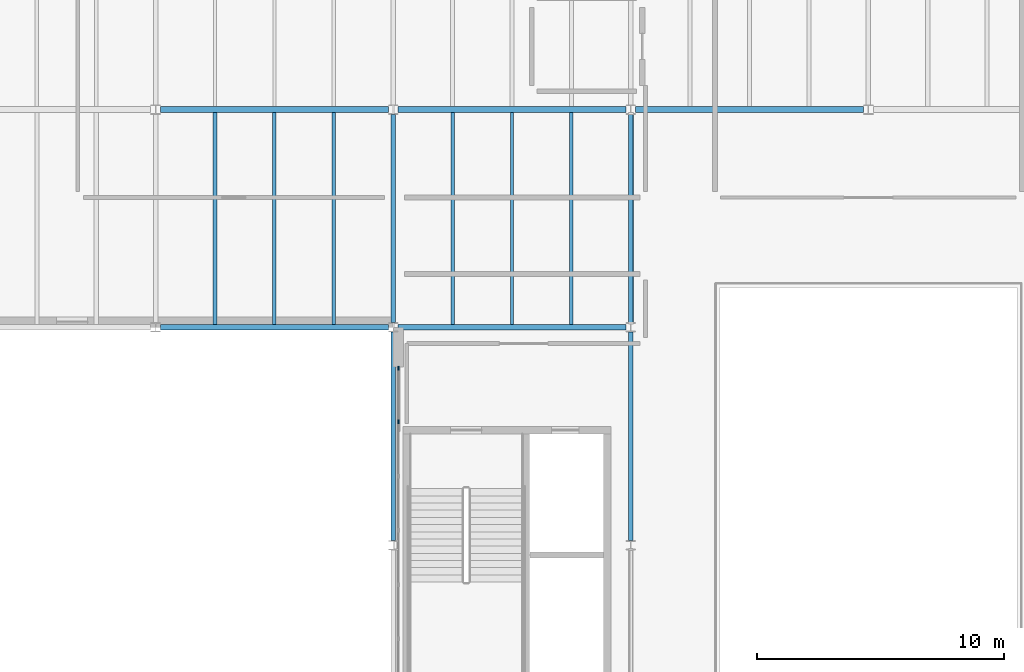
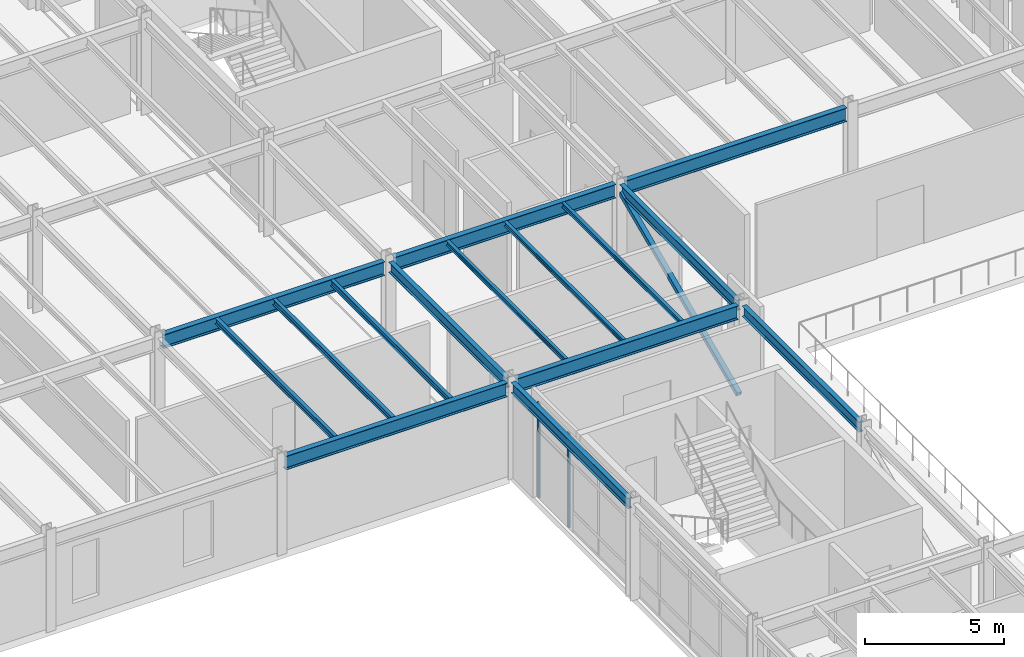
# One storey, part 40 of 88: 15 beams, 3 members, 1 element without a shape of its own.
"""IFC4 building model written with IfcOpenShell, lengths in metres."""

from ifc_helpers import new_model, si_unit, direction, frame, origin, origin_2d, place, context, subcontext, project, spatial, rectangle, hollow_rectangle, i_section, extrude, material, material_profile, profile_set, type_object, element, aggregate, save


model = new_model("IFC4")

# Units and contexts
model_context = context("Model", 3, precision=1e-05, world=origin(), true_north=direction((0.0, 1.0)))
body_context = subcontext(model_context, "Body", "Model", "MODEL_VIEW")
ifc_project = project(units=[si_unit("LENGTHUNIT", "METRE"), si_unit("AREAUNIT", "SQUARE_METRE"), si_unit("VOLUMEUNIT", "CUBIC_METRE"), si_unit("PLANEANGLEUNIT", "RADIAN"), si_unit("MASSUNIT", "GRAM", prefix="KILO")], contexts=[model_context])

# Site, building, storey
site_placement = place(None, origin())
site = spatial("IfcSite", under=ifc_project, at=site_placement, CompositionType="ELEMENT")
building_placement = place(site_placement, origin())
building = spatial("IfcBuilding", under=site, at=building_placement, Name="Sarnbrook Museum", CompositionType="ELEMENT")
storey_placement = place(building_placement, frame((0.0, 0.0, 10.10009765625)))
storey = spatial("IfcBuildingStorey", under=building, at=storey_placement, Name="L02", CompositionType="ELEMENT", Elevation=10.10009765625)

# Beams
ifc_material_1 = material(Name="Structural Steel Grade 300PLUS (AS/NZS 3679.1, fy = 280 MPa for 17 < t <= 40 mm, 300 MPa for t <= 17 mm)", Category="steel")
ifc_material_profile_1 = material_profile(ifc_material_1, i_section(OverallWidth=0.18994140625, OverallDepth=0.45703125, WebThickness=0.009033203125, FlangeThickness=0.014404296875, FilletRadius=0.011474609375, at=origin_2d()), Name="460UB74.6")
ifc_profile_set_1 = profile_set([ifc_material_profile_1], Name="Structural Steel Grade 300PLUS (AS/NZS 3679.1, fy = 280 MPa for 17 < t <= 40 mm, 300 MPa for t <= 17 mm)")
beam_type_1 = type_object("IfcBeamType", Name="BM-UB460", PredefinedType="BEAM", material=ifc_profile_set_1)
for number, where, z_axis, x_axis, name in (
    (1, (80.800048828125, 65.791015625, 4.021484375), (0.0, 1.0, 0.0), (-1.0, 0.0, 0.0), "Girder 9:H-J L02"),
    (2, (80.800048828125, 74.591064453125, 3.9814453125), (0.0, 1.0, 0.0), (-1.0, 0.0, 0.0), "Girder 9:J-K L02"),
    (3, (90.39990234375, 65.791015625, 4.021484375), (0.0, 1.0, 0.0), (-1.0, 0.0, 0.0), "Girder 10:H-J L02"),
    (4, (90.39990234375, 74.591064453125, 4.021484375), (0.0, 1.0, 0.0), (-1.0, 0.0, 0.0), "Girder 10:J-K L02"),
):
    element("IfcBeam", number, at=place(storey_placement, frame(where, z_axis=z_axis, x_axis=x_axis)), inside=storey, type_object=beam_type_1, Name=name, PredefinedType="BEAM", context=body_context, shape_type="SweptSolid", body=[
        extrude(i_section(OverallWidth=0.18994140625, OverallDepth=0.45703125, WebThickness=0.009033203125, FlangeThickness=0.014404296875, FilletRadius=0.011474609375, at=origin_2d()), origin(), (0.0, 0.0, 1.0), 8.41796875),
    ])
ifc_material_profile_2 = material_profile(ifc_material_1, i_section(OverallWidth=0.22802734375, OverallDepth=0.60693359375, WebThickness=0.01123046875, FlangeThickness=0.017333984375, FilletRadius=0.013916015625, at=origin_2d()), Name="610UB113")
ifc_profile_set_2 = profile_set([ifc_material_profile_2], Name="Structural Steel Grade 300PLUS (AS/NZS 3679.1, fy = 280 MPa for 17 < t <= 40 mm, 300 MPa for t <= 17 mm)")
beam_type_2 = type_object("IfcBeamType", Name="BM-UB610", PredefinedType="BEAM", material=ifc_profile_set_2)
beam_1_placement = place(storey_placement, frame((71.39990234375, 74.39990234375, 3.906494140625), z_axis=(1.0, 0.0, 0.0), x_axis=(0.0, 1.0, 0.0)))
element("IfcBeam", 5, at=beam_1_placement, inside=storey, type_object=beam_type_2, Name="Girder J:8-9 L02", PredefinedType="BEAM", context=body_context, shape_type="SweptSolid", body=[
    extrude(i_section(OverallWidth=0.22802734375, OverallDepth=0.60693359375, WebThickness=0.01123046875, FlangeThickness=0.017333984375, FilletRadius=0.013916015625, at=origin_2d()), origin(), (0.0, 0.0, 1.0), 9.2001953125),
])
beam_2_placement = place(storey_placement, frame((81.0, 74.39990234375, 3.9462890625), z_axis=(1.0, 0.0, 0.0), x_axis=(0.0, 1.0, 0.0)))
element("IfcBeam", 6, at=beam_2_placement, inside=storey, type_object=beam_type_2, Name="Girder J:9-10 L02", PredefinedType="BEAM", context=body_context, shape_type="SweptSolid", body=[
    extrude(i_section(OverallWidth=0.22802734375, OverallDepth=0.60693359375, WebThickness=0.01123046875, FlangeThickness=0.017333984375, FilletRadius=0.013916015625, at=origin_2d()), origin(), (0.0, 0.0, 1.0), 9.199951171875),
])
beam_3_placement = place(storey_placement, frame((71.39990234375, 83.199951171875, 3.906494140625), z_axis=(1.0, 0.0, 0.0), x_axis=(0.0, 1.0, 0.0)))
element("IfcBeam", 7, at=beam_3_placement, inside=storey, type_object=beam_type_2, Name="Girder K:8-9 L02", PredefinedType="BEAM", context=body_context, shape_type="SweptSolid", body=[
    extrude(i_section(OverallWidth=0.22802734375, OverallDepth=0.60693359375, WebThickness=0.01123046875, FlangeThickness=0.017333984375, FilletRadius=0.013916015625, at=origin_2d()), origin(), (0.0, 0.0, 1.0), 9.2001953125),
])
for number, where, z_axis, x_axis, name in (
    (8, (81.0, 83.199951171875, 3.9462890625), (1.0, 0.0, 0.0), (0.0, 1.0, 0.0), "Girder K:9-10 L02"),
    (9, (90.60009765625, 83.199951171875, 3.9462890625), (1.0, 0.0, 0.0), (0.0, 1.0, 0.0), "Girder K:10-11 L02"),
):
    element("IfcBeam", number, at=place(storey_placement, frame(where, z_axis=z_axis, x_axis=x_axis)), inside=storey, type_object=beam_type_2, Name=name, PredefinedType="BEAM", context=body_context, shape_type="SweptSolid", body=[
        extrude(i_section(OverallWidth=0.22802734375, OverallDepth=0.60693359375, WebThickness=0.01123046875, FlangeThickness=0.017333984375, FilletRadius=0.013916015625, at=origin_2d()), origin(), (0.0, 0.0, 1.0), 9.199951171875),
    ])

# Member
ifc_material_2 = material(Name="Structural Steel Hollow Section Grade C350L0 (AS/NZS 1163, fy = 350 MPa)", Category="steel")
ifc_material_profile_3 = material_profile(ifc_material_2, hollow_rectangle(XDim=0.199951171875, YDim=0.199951171875, WallThickness=0.010009765625, at=origin_2d()), Name="200x200x10.0SHS")
ifc_profile_set_3 = profile_set([ifc_material_profile_3], Name="Structural Steel Hollow Section Grade C350L0 (AS/NZS 1163, fy = 350 MPa)")
member_type_1 = type_object("IfcMemberType", Name="CH-SHS200", PredefinedType="CHORD", material=ifc_profile_set_3)
member_1_placement = place(storey_placement, frame((90.39990234375, 74.580078125, 0.119873046875), z_axis=(0.0, 0.914658395799, 0.404227682124), x_axis=(-1.0, 0.0, 0.0)))
element("IfcMember", 10, at=member_1_placement, inside=storey, type_object=member_type_1, Name="Lateral Diagonal Brace CBF-3 L02", PredefinedType="CHORD", context=body_context, shape_type="SweptSolid", body=[
    extrude(hollow_rectangle(XDim=0.199951171875, YDim=0.199951171875, WallThickness=0.010009765625, at=origin_2d()), origin(), (0.0, 0.0, 1.0), 9.2275390625),
])

# Curtain wall, members
ifc_material_3 = material(Name="Thermally Broken Anodised Aluminium 6063-T6", Category="aluminium")
curtain_wall_type = type_object("IfcCurtainWallType", Name="CurtainWall_GalleryRibbon", PredefinedType="NOTDEFINED", material=ifc_material_3)
curtain_wall_placement = place(storey_placement, origin())
curtain_wall = element("IfcCurtainWall", 11, at=curtain_wall_placement, inside=storey, type_object=curtain_wall_type, Name="Gallery Ribbon Curtain Wall L02-14.1", PredefinedType="NOTDEFINED")
ifc_material_profile_4 = material_profile(ifc_material_3, rectangle(XDim=0.06005859375, YDim=0.159912109375, at=origin_2d()), Name="ALU MULLION 60x160")
ifc_profile_set_4 = profile_set([ifc_material_profile_4], Name="Thermally Broken Anodised Aluminium 6063-T6")
member_type_2 = type_object("IfcMemberType", Name="CW_Mullion_150x65", PredefinedType="MULLION", material=ifc_profile_set_4)
member_2_placement = place(storey_placement, frame((81.010009765625, 72.739990234375, 0.0), z_axis=(0.0, 0.0, 1.0), x_axis=(1.0, 0.0, 0.0)))
member_2 = element("IfcMember", 12, at=member_2_placement, type_object=member_type_2, Name="Gallery Ribbon Curtain Wall L02-14.1 Mullion 1", PredefinedType="MULLION", context=body_context, shape_type="SweptSolid", body=[
    extrude(rectangle(XDim=0.06005859375, YDim=0.159912109375, at=origin_2d()), origin(), (0.0, 0.0, 1.0), 4.159912109375),
])
member_3_placement = place(storey_placement, frame((81.010009765625, 70.585693359375, 0.0), z_axis=(0.0, 0.0, 1.0), x_axis=(1.0, 0.0, 0.0)))
member_3 = element("IfcMember", 13, at=member_3_placement, type_object=member_type_2, Name="Gallery Ribbon Curtain Wall L02-14.1 Mullion 2", PredefinedType="MULLION", context=body_context, shape_type="SweptSolid", body=[
    extrude(rectangle(XDim=0.06005859375, YDim=0.159912109375, at=origin_2d()), origin(), (0.0, 0.0, 1.0), 4.159912109375),
])
aggregate(curtain_wall, [member_2, member_3])

# Beams
ifc_material_profile_5 = material_profile(ifc_material_1, i_section(OverallWidth=0.134033203125, OverallDepth=0.20703125, WebThickness=0.00634765625, FlangeThickness=0.009521484375, FilletRadius=0.0087890625, at=origin_2d()), Name="200UB29.8")
ifc_profile_set_5 = profile_set([ifc_material_profile_5], Name="Structural Steel Grade 300PLUS (AS/NZS 3679.1, fy = 280 MPa for 17 < t <= 40 mm, 300 MPa for t <= 17 mm)")
beam_type_3 = type_object("IfcBeamType", Name="JS-UB200", PredefinedType="JOIST", material=ifc_profile_set_5)
for number, where, z_axis, x_axis, name in (
    (14, (83.199951171875, 74.513916015625, 4.146484375), (0.0, 1.0, 0.0), (-1.0, 0.0, 0.0), "Composite Floor Joist 9J-1 L02"),
    (15, (85.60009765625, 74.513916015625, 4.146484375), (0.0, 1.0, 0.0), (-1.0, 0.0, 0.0), "Composite Floor Joist 9J-2 L02"),
    (16, (88.0, 74.513916015625, 4.146484375), (0.0, 1.0, 0.0), (-1.0, 0.0, 0.0), "Composite Floor Joist 9J-3 L02"),
):
    element("IfcBeam", number, at=place(storey_placement, frame(where, z_axis=z_axis, x_axis=x_axis)), inside=storey, type_object=beam_type_3, Name=name, PredefinedType="JOIST", context=body_context, shape_type="SweptSolid", body=[
        extrude(i_section(OverallWidth=0.134033203125, OverallDepth=0.20703125, WebThickness=0.00634765625, FlangeThickness=0.009521484375, FilletRadius=0.0087890625, at=origin_2d()), origin(), (0.0, 0.0, 1.0), 8.572021484375),
    ])
ifc_material_profile_6 = material_profile(ifc_material_1, i_section(OverallWidth=0.14599609375, OverallDepth=0.256103515625, WebThickness=0.00634765625, FlangeThickness=0.010986328125, FilletRadius=0.0087890625, at=origin_2d()), Name="250UB37.3")
ifc_profile_set_6 = profile_set([ifc_material_profile_6], Name="Structural Steel Grade 300PLUS (AS/NZS 3679.1, fy = 280 MPa for 17 < t <= 40 mm, 300 MPa for t <= 17 mm)")
beam_type_4 = type_object("IfcBeamType", Name="JS-UB250", PredefinedType="JOIST", material=ifc_profile_set_6)
for number, where, z_axis, x_axis, name in (
    (17, (73.60009765625, 74.513916015625, 4.081787109375), (0.0, 1.0, 0.0), (-1.0, 0.0, 0.0), "Composite Floor Joist 8J-1 L02"),
    (18, (76.0, 74.513916015625, 4.081787109375), (0.0, 1.0, 0.0), (-1.0, 0.0, 0.0), "Composite Floor Joist 8J-2 L02"),
    (19, (78.39990234375, 74.513916015625, 4.081787109375), (0.0, 1.0, 0.0), (-1.0, 0.0, 0.0), "Composite Floor Joist 8J-3 L02"),
):
    element("IfcBeam", number, at=place(storey_placement, frame(where, z_axis=z_axis, x_axis=x_axis)), inside=storey, type_object=beam_type_4, Name=name, PredefinedType="JOIST", context=body_context, shape_type="SweptSolid", body=[
        extrude(i_section(OverallWidth=0.14599609375, OverallDepth=0.256103515625, WebThickness=0.00634765625, FlangeThickness=0.010986328125, FilletRadius=0.0087890625, at=origin_2d()), origin(), (0.0, 0.0, 1.0), 8.572021484375),
    ])

save(model, "model.ifc")
